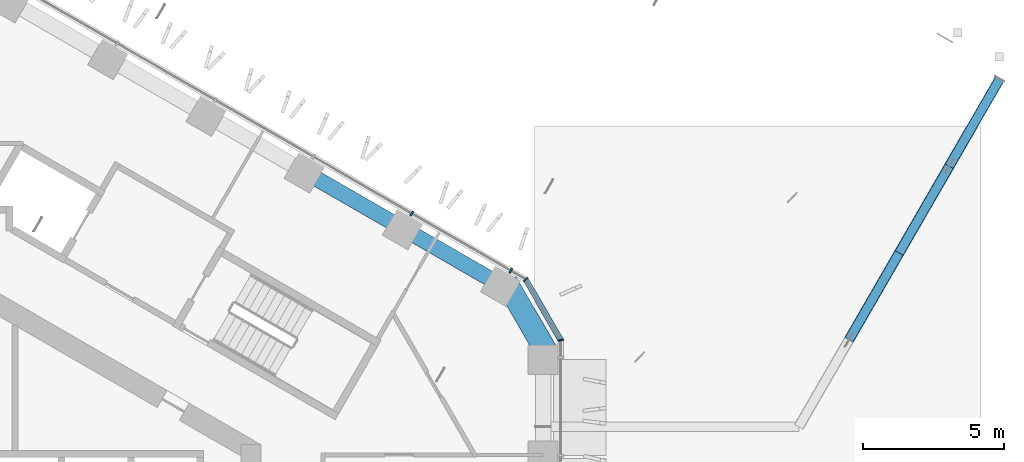
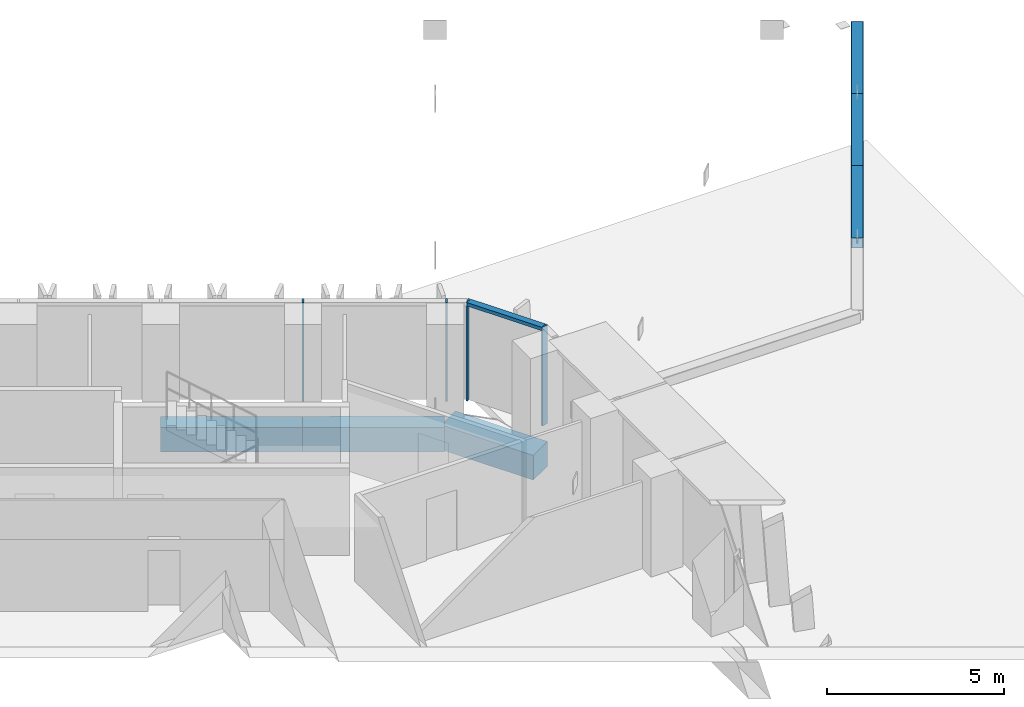
# One storey, part 7 of 25: 8 members, 3 beams, 2 elements without a shape of their own.
"""IFC4 building model written with IfcOpenShell, lengths in metres."""

from ifc_helpers import new_model, si_unit, direction, frame, origin, origin_2d, place, context, subcontext, project, spatial, rectangle, hollow_rectangle, extrude, material, layer, layer_set, material_profile, profile_set, type_object, element, aggregate, save


model = new_model("IFC4")

# Units and contexts
model_context = context("Model", 3, precision=1e-05, world=origin(), true_north=direction((0.0, 1.0)))
body_context = subcontext(model_context, "Body", "Model", "MODEL_VIEW")
ifc_project = project(units=[si_unit("LENGTHUNIT", "METRE"), si_unit("AREAUNIT", "SQUARE_METRE"), si_unit("VOLUMEUNIT", "CUBIC_METRE"), si_unit("PLANEANGLEUNIT", "RADIAN"), si_unit("MASSUNIT", "GRAM", prefix="KILO")], contexts=[model_context])

# Site, building, storey
site_placement = place(None, origin())
site = spatial("IfcSite", under=ifc_project, at=site_placement, CompositionType="ELEMENT")
building_placement = place(site_placement, origin())
building = spatial("IfcBuilding", under=site, at=building_placement, Name="Ayvan Gate Tower", CompositionType="ELEMENT")
storey_placement = place(building_placement, frame((0.0, 0.0, 132.5)))
storey = spatial("IfcBuildingStorey", under=building, at=storey_placement, Name="L35", CompositionType="ELEMENT", Elevation=132.5)

# Beam
ifc_material_1 = material(Name="Concrete C40/50", Category="concrete")
ifc_material_profile_1 = material_profile(ifc_material_1, rectangle(XDim=0.800048828125, YDim=0.85009765625, at=origin_2d()), Name="RC 800x850")
ifc_profile_set_1 = profile_set([ifc_material_profile_1], Name="Concrete C40/50")
beam_type_1 = type_object("IfcBeamType", Name="Corner spandrel beam RC 800x850 C40/50", PredefinedType="BEAM", material=ifc_profile_set_1)
beam_1_placement = place(storey_placement, frame((19.676025390625, 8.64794921875, -0.77490234375), z_axis=(-0.50002537861, 0.866010750942, 0.0), x_axis=(-0.866010750942, -0.50002537861, 0.0)))
element("IfcBeam", 1, at=beam_1_placement, inside=storey, type_object=beam_type_1, Name="SB-L35-6", PredefinedType="BEAM", context=body_context, shape_type="SweptSolid", body=[
    extrude(rectangle(XDim=0.800048828125, YDim=0.85009765625, at=origin_2d()), origin(), (0.0, 0.0, 1.0), 2.999755859375),
])

# Members
ifc_material_2 = material(Name="Steel S460NH", Category="steel")
ifc_material_profile_2 = material_profile(ifc_material_2, hollow_rectangle(XDim=0.35009765625, YDim=0.35009765625, WallThickness=0.01611328125, InnerFilletRadius=0.01611328125, OuterFilletRadius=0.02392578125, at=origin_2d()), Name="RHS 350x350x16")
ifc_profile_set_2 = profile_set([ifc_material_profile_2], Name="Steel S460NH")
member_type_1 = type_object("IfcMemberType", Name="Sky bar truss brace B3 RHS 350x350x16", PredefinedType="BRACE", material=ifc_profile_set_2)
for number, where, z_axis, x_axis, name in (
    (2, (30.310791015625, 9.189697265625, 2.675048828125), (0.499970499736, 0.8660424351, 0.0), (-0.8660424351, 0.499970499736, 0.0), "SBX3-B-BC-3"),
    (3, (32.085693359375, 12.26416015625, 2.675048828125), (0.500022077904, 0.866012656725, 0.0), (-0.866012656725, 0.500022077904, 0.0), "SBX3-B-BC-4"),
):
    element("IfcMember", number, at=place(storey_placement, frame(where, z_axis=z_axis, x_axis=x_axis)), inside=storey, type_object=member_type_1, Name=name, PredefinedType="CHORD", context=body_context, shape_type="SweptSolid", body=[
        extrude(hollow_rectangle(XDim=0.35009765625, YDim=0.35009765625, WallThickness=0.01611328125, InnerFilletRadius=0.01611328125, OuterFilletRadius=0.02392578125, at=origin_2d()), origin(), (0.0, 0.0, 1.0), 3.550048828125),
    ])
member_1_placement = place(storey_placement, frame((33.86083984375, 15.338623046875, 2.675048828125), z_axis=(0.500000279077, 0.866025242659, 0.0), x_axis=(-0.866025242659, 0.500000279077, 0.0)))
element("IfcMember", 4, at=member_1_placement, inside=storey, type_object=member_type_1, Name="SBX3-B-BC-5", PredefinedType="CHORD", context=body_context, shape_type="SweptSolid", body=[
    extrude(hollow_rectangle(XDim=0.35009765625, YDim=0.35009765625, WallThickness=0.01611328125, InnerFilletRadius=0.01611328125, OuterFilletRadius=0.02392578125, at=origin_2d()), origin(), (0.0, 0.0, 1.0), 3.5498046875),
])

# Beams
ifc_material_profile_3 = material_profile(ifc_material_1, rectangle(XDim=0.550048828125, YDim=0.85009765625, at=origin_2d()), Name="RC 550x850")
ifc_profile_set_3 = profile_set([ifc_material_profile_3], Name="Concrete C40/50")
beam_type_2 = type_object("IfcBeamType", Name="Spandrel beam RC 550x850 C40/50", PredefinedType="BEAM", material=ifc_profile_set_3)
beam_2_placement = place(storey_placement, frame((17.985595703125, 11.135986328125, -0.77490234375), z_axis=(-0.866035275801, 0.499982900776, 0.0), x_axis=(-0.499982900776, -0.866035275801, 0.0)))
element("IfcBeam", 5, at=beam_2_placement, inside=storey, type_object=beam_type_2, Name="SB-L35-7", PredefinedType="BEAM", context=body_context, shape_type="SweptSolid", body=[
    extrude(rectangle(XDim=0.550048828125, YDim=0.85009765625, at=origin_2d()), origin(), (0.0, 0.0, 1.0), 4.003173828125),
])
beam_3_placement = place(storey_placement, frame((14.518798828125, 13.137451171875, -0.77490234375), z_axis=(-0.866024114423, 0.500002233234, 0.0), x_axis=(-0.500002233234, -0.866024114423, 0.0)))
element("IfcBeam", 6, at=beam_3_placement, inside=storey, type_object=beam_type_2, Name="SB-L35-8", PredefinedType="BEAM", context=body_context, shape_type="SweptSolid", body=[
    extrude(rectangle(XDim=0.550048828125, YDim=0.85009765625, at=origin_2d()), origin(), (0.0, 0.0, 1.0), 4.00341796875),
])

# Curtain wall, members
ifc_material_3 = material(Name="Bronze anodised aluminium", Category="aluminium")
ifc_layer_1 = layer(ifc_material_3, 0.199951171875)
ifc_layer_set_1 = layer_set([ifc_layer_1], Name="Bronze anodised aluminium")
curtain_wall_type_1 = type_object("IfcCurtainWallType", Name="Stick curtain wall CW-1", PredefinedType="NOTDEFINED", material=ifc_layer_set_1)
curtain_wall_1_placement = place(storey_placement, origin())
curtain_wall_1 = element("IfcCurtainWall", 7, at=curtain_wall_1_placement, inside=storey, type_object=curtain_wall_type_1, Name="Stick curtain wall CW-1 L35", PredefinedType="NOTDEFINED")
ifc_material_profile_4 = material_profile(ifc_material_3, rectangle(XDim=0.199951171875, YDim=0.06005859375, at=origin_2d()), Name="Stick curtain wall CW-1 mullion 200 x 60")
ifc_profile_set_4 = profile_set([ifc_material_profile_4], Name="Bronze anodised aluminium")
member_type_2 = type_object("IfcMemberType", Name="Stick curtain wall CW-1 mullion 200 x 60", PredefinedType="MULLION", material=ifc_profile_set_4)
member_2_placement = place(storey_placement, frame((18.34326171875, 11.635498046875, 0.0), z_axis=(0.0, 0.0, 1.0), x_axis=(0.5, 0.866025403784, 0.0)))
member_2 = element("IfcMember", 8, at=member_2_placement, type_object=member_type_2, Name="CW-1 mullion 1", PredefinedType="MULLION", context=body_context, shape_type="SweptSolid", body=[
    extrude(rectangle(XDim=0.199951171875, YDim=0.06005859375, at=origin_2d()), origin(), (0.0, 0.0, 1.0), 3.39990234375),
])
member_3_placement = place(storey_placement, frame((14.837646484375, 13.659423828125, 0.0), z_axis=(0.0, 0.0, 1.0), x_axis=(0.5, 0.866025403784, 0.0)))
member_3 = element("IfcMember", 9, at=member_3_placement, type_object=member_type_2, Name="CW-1 mullion 2", PredefinedType="MULLION", context=body_context, shape_type="SweptSolid", body=[
    extrude(rectangle(XDim=0.199951171875, YDim=0.06005859375, at=origin_2d()), origin(), (0.0, 0.0, 1.0), 3.39990234375),
])
aggregate(curtain_wall_1, [member_2, member_3])

ifc_layer_2 = layer(ifc_material_3, 0.199951171875)
ifc_layer_set_2 = layer_set([ifc_layer_2], Name="Bronze anodised aluminium")
curtain_wall_type_2 = type_object("IfcCurtainWallType", Name="Stick curtain wall CW-6", PredefinedType="NOTDEFINED", material=ifc_layer_set_2)
curtain_wall_2_placement = place(storey_placement, origin())
curtain_wall_2 = element("IfcCurtainWall", 10, at=curtain_wall_2_placement, inside=storey, type_object=curtain_wall_type_2, Name="Stick curtain wall CW-6 L35", PredefinedType="NOTDEFINED")
ifc_material_profile_5 = material_profile(ifc_material_3, rectangle(XDim=0.199951171875, YDim=0.050048828125, at=origin_2d()), Name="Stick curtain wall CW-6 mullion 200 x 50")
ifc_profile_set_5 = profile_set([ifc_material_profile_5], Name="Bronze anodised aluminium")
member_type_3 = type_object("IfcMemberType", Name="Stick curtain wall CW-6 mullion 200 x 50", PredefinedType="MULLION", material=ifc_profile_set_5)
member_4_placement = place(storey_placement, frame((20.110595703125, 9.179443359375, 0.0), z_axis=(0.0, 0.0, 1.0), x_axis=(0.965925826289, 0.258819045103, 0.0)))
member_4 = element("IfcMember", 11, at=member_4_placement, type_object=member_type_3, Name="CW-6 mullion 2", PredefinedType="MULLION", context=body_context, shape_type="SweptSolid", body=[
    extrude(rectangle(XDim=0.199951171875, YDim=0.050048828125, at=origin_2d()), origin(), (0.0, 0.0, 1.0), 3.39990234375),
])
member_5_placement = place(storey_placement, frame((18.8671875, 11.3330078125, 0.0), z_axis=(0.0, 0.0, 1.0), x_axis=(0.707106781187, 0.707106781187, 0.0)))
member_5 = element("IfcMember", 12, at=member_5_placement, type_object=member_type_3, Name="CW-6 mullion 3", PredefinedType="MULLION", context=body_context, shape_type="SweptSolid", body=[
    extrude(rectangle(XDim=0.199951171875, YDim=0.050048828125, at=origin_2d()), origin(), (0.0, 0.0, 1.0), 3.39990234375),
])
ifc_material_profile_6 = material_profile(ifc_material_3, rectangle(XDim=0.199951171875, YDim=0.1201171875, at=origin_2d()), Name="Stick curtain wall CW-6 transom 200 x 120")
ifc_profile_set_6 = profile_set([ifc_material_profile_6], Name="Bronze anodised aluminium")
member_type_4 = type_object("IfcMemberType", Name="Stick curtain wall CW-6 transom 200 x 120", PredefinedType="USERDEFINED", material=ifc_profile_set_6)
member_6_placement = place(storey_placement, frame((20.09814453125, 9.201171875, 3.340087890625), z_axis=(-0.499997116, 0.866027068856, 0.0), x_axis=(-0.866027068856, -0.499997116, 0.0)))
member_6 = element("IfcMember", 13, at=member_6_placement, type_object=member_type_4, Name="CW-6 transom 2", ObjectType="TRANSOM", PredefinedType="USERDEFINED", context=body_context, shape_type="SweptSolid", body=[
    extrude(rectangle(XDim=0.199951171875, YDim=0.1201171875, at=origin_2d()), origin(), (0.0, 0.0, 1.0), 2.4365234375),
])
aggregate(curtain_wall_2, [member_4, member_5, member_6])

save(model, "model.ifc")
